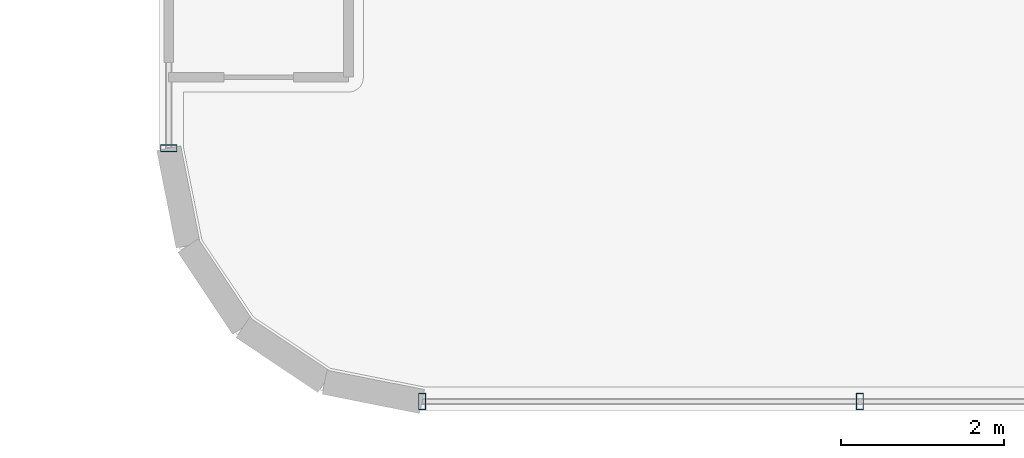
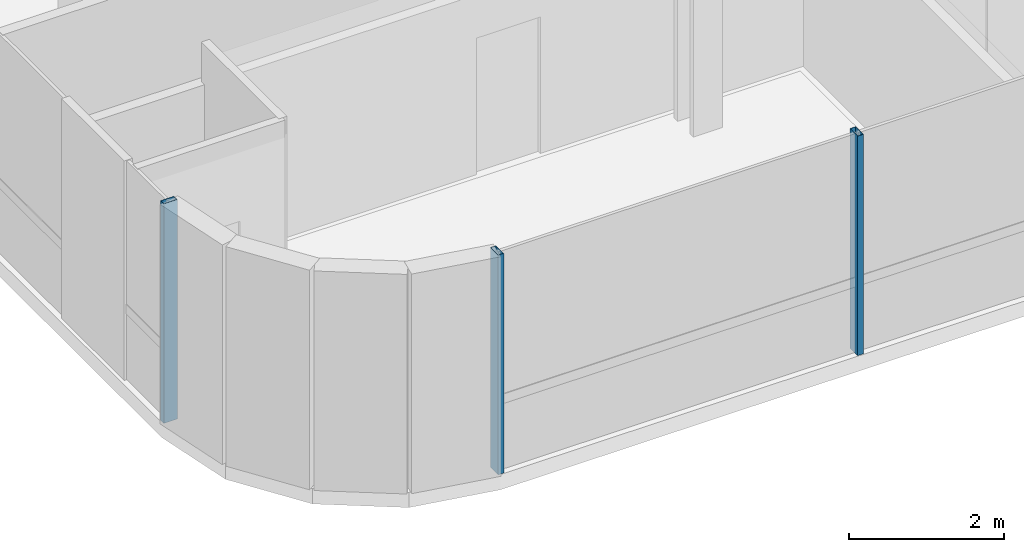
# One storey, part 2 of 42: 3 members, 2 elements without a shape of their own.
"""IFC4 building model written with IfcOpenShell, lengths in metres."""

from ifc_helpers import new_model, si_unit, direction, frame, origin, origin_2d, place, context, subcontext, project, spatial, hollow_rectangle, extrude, source, transform, mapped, material, material_profile, profile_set, type_object, element, aggregate, save


model = new_model("IFC4")

# Units and contexts
model_context = context("Model", 3, precision=1e-05, world=origin(), true_north=direction((0.0, 1.0)))
body_context = subcontext(model_context, "Body", "Model", "MODEL_VIEW")
ifc_project = project(units=[si_unit("LENGTHUNIT", "METRE"), si_unit("AREAUNIT", "SQUARE_METRE"), si_unit("VOLUMEUNIT", "CUBIC_METRE"), si_unit("PLANEANGLEUNIT", "RADIAN"), si_unit("MASSUNIT", "GRAM", prefix="KILO")], contexts=[model_context])

# Site, building, storey
site_placement = place(None, origin())
site = spatial("IfcSite", under=ifc_project, at=site_placement, CompositionType="ELEMENT")
building_placement = place(site_placement, origin())
building = spatial("IfcBuilding", under=site, at=building_placement, Name="Valdorenza Pilgrim Sanctuary Tower", CompositionType="ELEMENT")
storey_placement = place(building_placement, frame((0.0, 0.0, 55.60009765625)))
storey = spatial("IfcBuildingStorey", under=building, at=storey_placement, Name="L13", CompositionType="ELEMENT", Elevation=55.60009765625)

# Curtain wall, member
ifc_material_1 = material(Name="Curtain-wall IGU glazing", Category="glass")
curtain_wall_type = type_object("IfcCurtainWallType", Name="CW-SYS-02", PredefinedType="NOTDEFINED", material=ifc_material_1)
curtain_wall_1_placement = place(storey_placement, origin())
curtain_wall_1 = element("IfcCurtainWall", 1, at=curtain_wall_1_placement, inside=storey, type_object=curtain_wall_type, Name="L13 Curtain Wall CW-L13-1-1S1", PredefinedType="NOTDEFINED")
ifc_material_2 = material(Name="Anodised aluminium AW-6060", Category="aluminium")
ifc_material_profile = material_profile(ifc_material_2, hollow_rectangle(XDim=0.0849609375, YDim=0.199951171875, WallThickness=0.0048828125, at=origin_2d()), Name="ALU-M 200x85x5")
ifc_profile_set = profile_set([ifc_material_profile], Name="Anodised aluminium AW-6060")
member_type = type_object("IfcMemberType", Name="CW-MUL-02", PredefinedType="MULLION", material=ifc_profile_set)
shared_shape = source(origin(), body_context, "Body", "SweptSolid", [
    extrude(hollow_rectangle(XDim=0.0849609375, YDim=0.199951171875, WallThickness=0.0048828125, at=origin_2d()), origin(), (0.0, 0.0, 1.0), 3.4599609375),
])
member_1_placement = place(storey_placement, frame((-31.889892578125, -15.789306640625, 0.0), z_axis=(0.0, 0.0, 1.0), x_axis=(0.0, 1.0, 0.0)))
member_1 = element("IfcMember", 2, at=member_1_placement, type_object=member_type, Name="CW-L13-1-1S1 Mullion 1", PredefinedType="MULLION", context=body_context, shape_type="MappedRepresentation", body=[
    mapped(shared_shape, transform((0.0, 0.0, 0.0), x_axis=(1.0, 0.0, 0.0), y_axis=(0.0, 1.0, 0.0), z_axis=(0.0, 0.0, 1.0), scale=1.0)),
])
aggregate(curtain_wall_1, [member_1])

# Curtain wall, members
curtain_wall_2_placement = place(storey_placement, origin())
curtain_wall_2 = element("IfcCurtainWall", 3, at=curtain_wall_2_placement, inside=storey, type_object=curtain_wall_type, Name="L13 Curtain Wall CW-L13-1-46", PredefinedType="NOTDEFINED")
member_2_placement = place(storey_placement, frame((-23.4296875, -18.889892578125, 0.0), z_axis=(0.0, 0.0, 1.0), x_axis=(-1.0, 0.0, 0.0)))
member_2 = element("IfcMember", 4, at=member_2_placement, type_object=member_type, Name="CW-L13-1-46 Mullion 3", PredefinedType="MULLION", context=body_context, shape_type="MappedRepresentation", body=[
    mapped(shared_shape, transform((0.0, 0.0, 0.0), x_axis=(1.0, 0.0, 0.0), y_axis=(0.0, 1.0, 0.0), z_axis=(0.0, 0.0, 1.0), scale=1.0)),
])
member_3_placement = place(storey_placement, frame((-28.789306640625, -18.889892578125, 0.0), z_axis=(0.0, 0.0, 1.0), x_axis=(-1.0, 0.0, 0.0)))
member_3 = element("IfcMember", 5, at=member_3_placement, type_object=member_type, Name="CW-L13-1-46 Mullion 4", PredefinedType="MULLION", context=body_context, shape_type="MappedRepresentation", body=[
    mapped(shared_shape, transform((0.0, 0.0, 0.0), x_axis=(1.0, 0.0, 0.0), y_axis=(0.0, 1.0, 0.0), z_axis=(0.0, 0.0, 1.0), scale=1.0)),
])
aggregate(curtain_wall_2, [member_2, member_3])

save(model, "model.ifc")
